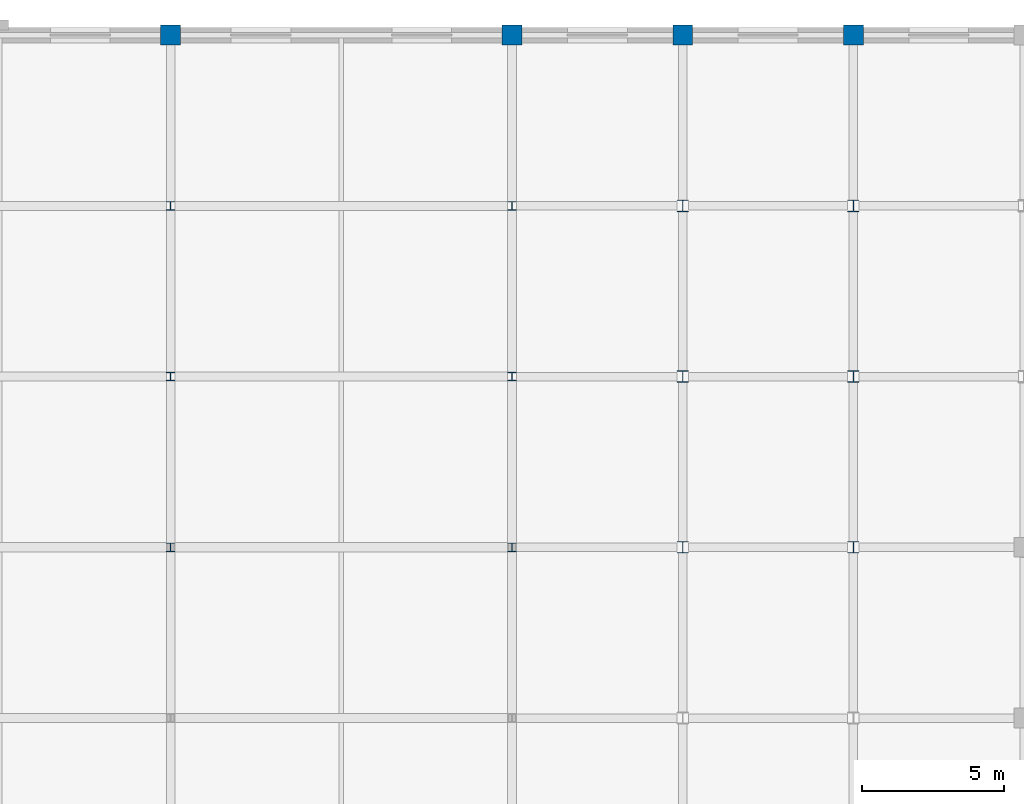
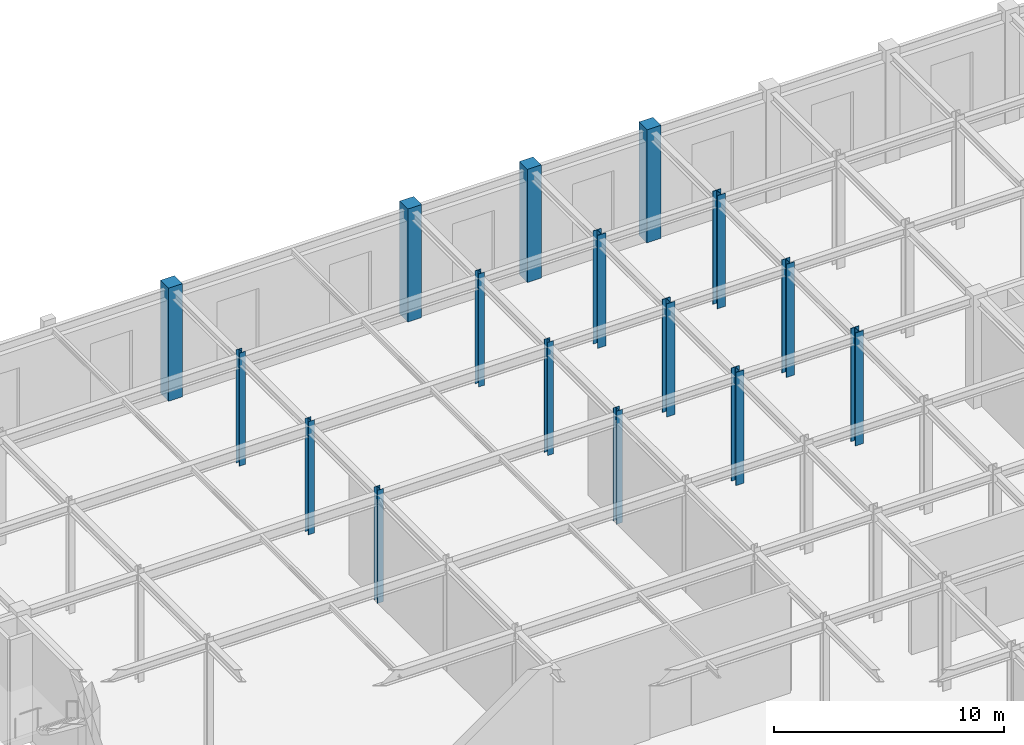
# One storey, part 16 of 108: 16 columns.
"""IFC4 building model written with IfcOpenShell, lengths in metres."""

from ifc_helpers import new_model, si_unit, direction, frame, origin, origin_2d, place, context, subcontext, project, spatial, rectangle, i_section, extrude, material, material_profile, profile_set, type_object, element, save


model = new_model("IFC4")

# Units and contexts
model_context = context("Model", 3, precision=1e-05, world=origin(), true_north=direction((0.0, 1.0)))
body_context = subcontext(model_context, "Body", "Model", "MODEL_VIEW")
ifc_project = project(units=[si_unit("LENGTHUNIT", "METRE"), si_unit("AREAUNIT", "SQUARE_METRE"), si_unit("VOLUMEUNIT", "CUBIC_METRE"), si_unit("PLANEANGLEUNIT", "RADIAN"), si_unit("MASSUNIT", "GRAM", prefix="KILO")], contexts=[model_context])

# Site, building, storey
site_placement = place(None, origin())
site = spatial("IfcSite", under=ifc_project, at=site_placement, CompositionType="ELEMENT")
building_placement = place(site_placement, origin())
building = spatial("IfcBuilding", under=site, at=building_placement, Name="Zlatovratsky Civic Hall", CompositionType="ELEMENT")
storey_placement = place(building_placement, frame((0.0, 0.0, 6.0)))
storey = spatial("IfcBuildingStorey", under=building, at=storey_placement, Name="L02", CompositionType="ELEMENT", Elevation=6.0)

# Columns
ifc_material_1 = material(Name="Concrete C35/45 (B40)", Category="concrete")
ifc_material_profile_1 = material_profile(ifc_material_1, rectangle(XDim=0.699951171875, YDim=0.699951171875, at=origin_2d()), Name="RC 700x700")
ifc_profile_set_1 = profile_set([ifc_material_profile_1], Name="Concrete C35/45 (B40)")
column_type_1 = type_object("IfcColumnType", Name="Col_CorePier_RC700", PredefinedType="COLUMN", material=ifc_profile_set_1)
for number, where, z_axis, x_axis, name in (
    (1, (36.0, 114.0, 0.0), (0.0, 0.0, 1.0), (1.0, 0.0, 0.0), "CL-1170"),
    (2, (48.0, 114.0, 0.0), (0.0, 0.0, 1.0), (1.0, 0.0, 0.0), "CL-1171"),
    (3, (54.0, 114.0, 0.0), (0.0, 0.0, 1.0), (1.0, 0.0, 0.0), "CL-1172"),
    (4, (60.0, 114.0, 0.0), (0.0, 0.0, 1.0), (1.0, 0.0, 0.0), "CL-1173"),
):
    element("IfcColumn", number, at=place(storey_placement, frame(where, z_axis=z_axis, x_axis=x_axis)), inside=storey, type_object=column_type_1, Name=name, PredefinedType="COLUMN", context=body_context, shape_type="SweptSolid", body=[
        extrude(rectangle(XDim=0.699951171875, YDim=0.699951171875, at=origin_2d()), origin(), (0.0, 0.0, 1.0), 6.0),
    ])
ifc_material_2 = material(Name="Steel S355", Category="steel")
ifc_material_profile_2 = material_profile(ifc_material_2, i_section(OverallWidth=0.300048828125, OverallDepth=0.300048828125, WebThickness=0.010009765625, FlangeThickness=0.014892578125, FilletRadius=0.01806640625, at=origin_2d()), Name="30K2")
ifc_profile_set_2 = profile_set([ifc_material_profile_2], Name="Steel S355")
column_type_2 = type_object("IfcColumnType", Name="Col_Steel_30K2", PredefinedType="COLUMN", material=ifc_profile_set_2)
for number, where, z_axis, x_axis, name in (
    (5, (36.0, 96.0, 0.0), (0.0, 0.0, 1.0), (1.0, 0.0, 0.0), "CL-1101"),
    (6, (48.0, 96.0, 0.0), (0.0, 0.0, 1.0), (1.0, 0.0, 0.0), "CL-1102"),
    (7, (36.0, 102.0, 0.0), (0.0, 0.0, 1.0), (1.0, 0.0, 0.0), "CL-1124"),
    (8, (48.0, 102.0, 0.0), (0.0, 0.0, 1.0), (1.0, 0.0, 0.0), "CL-1125"),
    (9, (36.0, 108.0, 0.0), (0.0, 0.0, 1.0), (1.0, 0.0, 0.0), "CL-1147"),
    (10, (48.0, 108.0, 0.0), (0.0, 0.0, 1.0), (1.0, 0.0, 0.0), "CL-1148"),
):
    element("IfcColumn", number, at=place(storey_placement, frame(where, z_axis=z_axis, x_axis=x_axis)), inside=storey, type_object=column_type_2, Name=name, PredefinedType="COLUMN", context=body_context, shape_type="SweptSolid", body=[
        extrude(i_section(OverallWidth=0.300048828125, OverallDepth=0.300048828125, WebThickness=0.010009765625, FlangeThickness=0.014892578125, FilletRadius=0.01806640625, at=origin_2d()), origin(), (0.0, 0.0, 1.0), 6.0),
    ])
ifc_material_profile_3 = material_profile(ifc_material_2, i_section(OverallWidth=0.405029296875, OverallDepth=0.41796875, WebThickness=0.02001953125, FlangeThickness=0.030029296875, FilletRadius=0.02197265625, at=origin_2d()), Name="40K4")
ifc_profile_set_3 = profile_set([ifc_material_profile_3], Name="Steel S355")
column_type_3 = type_object("IfcColumnType", Name="Col_Steel_40K4", PredefinedType="COLUMN", material=ifc_profile_set_3)
for number, where, z_axis, x_axis, name in (
    (11, (54.0, 96.0, 0.0), (0.0, 0.0, 1.0), (1.0, 0.0, 0.0), "CL-1103"),
    (12, (60.0, 96.0, 0.0), (0.0, 0.0, 1.0), (1.0, 0.0, 0.0), "CL-1104"),
    (13, (54.0, 102.0, 0.0), (0.0, 0.0, 1.0), (1.0, 0.0, 0.0), "CL-1126"),
    (14, (60.0, 102.0, 0.0), (0.0, 0.0, 1.0), (1.0, 0.0, 0.0), "CL-1127"),
    (15, (54.0, 108.0, 0.0), (0.0, 0.0, 1.0), (1.0, 0.0, 0.0), "CL-1149"),
    (16, (60.0, 108.0, 0.0), (0.0, 0.0, 1.0), (1.0, 0.0, 0.0), "CL-1150"),
):
    element("IfcColumn", number, at=place(storey_placement, frame(where, z_axis=z_axis, x_axis=x_axis)), inside=storey, type_object=column_type_3, Name=name, PredefinedType="COLUMN", context=body_context, shape_type="SweptSolid", body=[
        extrude(i_section(OverallWidth=0.405029296875, OverallDepth=0.41796875, WebThickness=0.02001953125, FlangeThickness=0.030029296875, FilletRadius=0.02197265625, at=origin_2d()), origin(), (0.0, 0.0, 1.0), 6.0),
    ])

save(model, "model.ifc")
